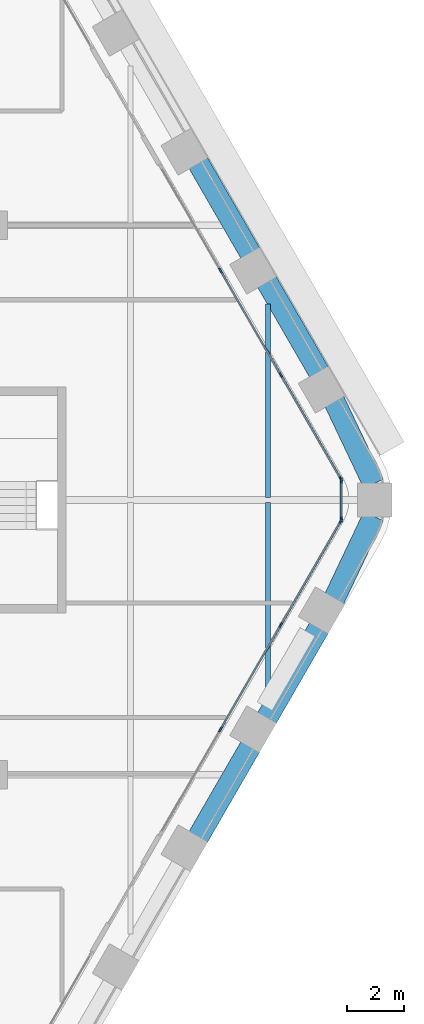
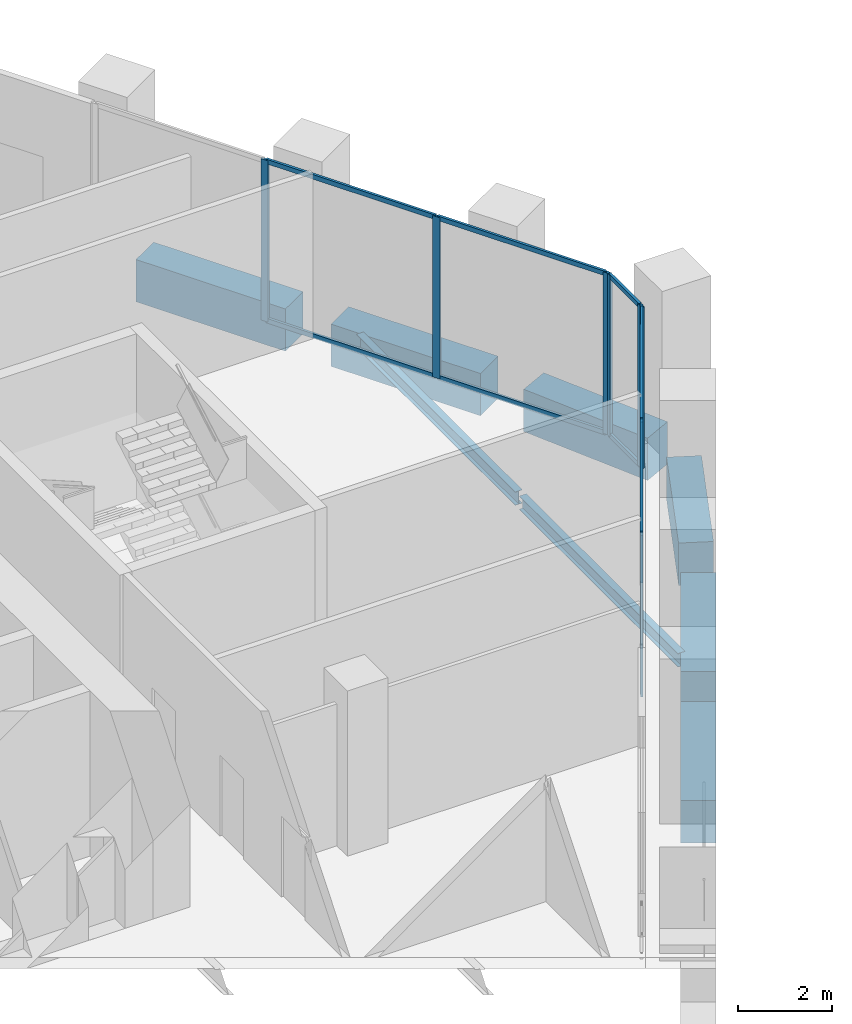
# One storey, part 11 of 26: 18 members, 8 beams, 3 elements without a shape of their own.
"""IFC4 building model written with IfcOpenShell, lengths in metres."""

from ifc_helpers import new_model, si_unit, direction, frame, origin, origin_2d, place, context, subcontext, project, spatial, rectangle, i_section, extrude, material, material_profile, profile_set, type_object, element, aggregate, save


model = new_model("IFC4")

# Units and contexts
model_context = context("Model", 3, precision=1e-05, world=origin(), true_north=direction((0.0, 1.0)))
body_context = subcontext(model_context, "Body", "Model", "MODEL_VIEW")
ifc_project = project(units=[si_unit("LENGTHUNIT", "METRE"), si_unit("AREAUNIT", "SQUARE_METRE"), si_unit("VOLUMEUNIT", "CUBIC_METRE"), si_unit("PLANEANGLEUNIT", "RADIAN"), si_unit("MASSUNIT", "GRAM", prefix="KILO")], contexts=[model_context])

# Site, building, storey
site_placement = place(None, origin())
site = spatial("IfcSite", under=ifc_project, at=site_placement, CompositionType="ELEMENT")
building_placement = place(site_placement, origin())
building = spatial("IfcBuilding", under=site, at=building_placement, Name="Kolab Exchange Tower", CompositionType="ELEMENT")
storey_placement = place(building_placement, frame((0.0, 0.0, 104.89990234375)))
storey = spatial("IfcBuildingStorey", under=building, at=storey_placement, Name="L20", CompositionType="ELEMENT", Elevation=104.89990234375)

# Beams
ifc_material_1 = material(Name="Steel S355", Category="steel")
ifc_material_profile_1 = material_profile(ifc_material_1, i_section(OverallWidth=0.1708984375, OverallDepth=0.35498046875, WebThickness=0.007080078125, FlangeThickness=0.01171875, at=origin_2d()), Name="W360X51")
ifc_profile_set_1 = profile_set([ifc_material_profile_1], Name="Steel S355")
beam_type_1 = type_object("IfcBeamType", Name="FLOOR BEAM W360X51", PredefinedType="BEAM", material=ifc_profile_set_1)
for number, where, z_axis, x_axis, name in (
    (1, (28.800048828125, -6.853759765625, -0.37744140625), (0.0, 1.0, 0.0), (-1.0, 0.0, 0.0), "beam/L20/fr/050"),
    (2, (28.800048828125, 0.0869140625, -0.37744140625), (0.0, 1.0, 0.0), (-1.0, 0.0, 0.0), "beam/L20/fr/051"),
):
    element("IfcBeam", number, at=place(storey_placement, frame(where, z_axis=z_axis, x_axis=x_axis)), inside=storey, type_object=beam_type_1, Name=name, PredefinedType="BEAM", context=body_context, shape_type="SweptSolid", body=[
        extrude(i_section(OverallWidth=0.1708984375, OverallDepth=0.35498046875, WebThickness=0.007080078125, FlangeThickness=0.01171875, at=origin_2d()), origin(), (0.0, 0.0, 1.0), 6.766845703125),
    ])
ifc_material_2 = material(Name="Concrete C70/85", Category="concrete")
ifc_material_profile_2 = material_profile(ifc_material_2, rectangle(XDim=0.75, YDim=1.10009765625, at=origin_2d()), Name="RC750X1100")
ifc_profile_set_2 = profile_set([ifc_material_profile_2], Name="Concrete C70/85")
beam_type_2 = type_object("IfcBeamType", Name="SPANDREL BEAM 750X1100 C70/85", PredefinedType="BEAM", material=ifc_profile_set_2)
for number, where, z_axis, x_axis, name in (
    (3, (26.355224609375, 11.79833984375, -0.75), (0.500013413428, -0.866017659399, 0.0), (0.866017659399, 0.500013413428, 0.0), "beam/L20/sp/F2-05"),
    (4, (28.755126953125, 7.641357421875, -0.75), (0.500013413428, -0.866017659399, 0.0), (0.866017659399, 0.500013413428, 0.0), "beam/L20/sp/F2-06"),
):
    element("IfcBeam", number, at=place(storey_placement, frame(where, z_axis=z_axis, x_axis=x_axis)), inside=storey, type_object=beam_type_2, Name=name, PredefinedType="BEAM", context=body_context, shape_type="SweptSolid", body=[
        extrude(rectangle(XDim=0.75, YDim=1.10009765625, at=origin_2d()), origin(), (0.0, 0.0, 1.0), 3.68017578125),
    ])
for number, where, z_axis, x_axis, name in (
    (5, (31.116455078125, 3.4619140625, -0.75), (0.429041292193, -0.903284877319, 0.0), (0.903284877319, 0.429041292193, 0.0), "beam/L20/sp/F2-07"),
    (6, (32.492919921875, -0.56396484375, -0.75), (-0.429041292193, -0.903284877319, 0.0), (0.903284877319, -0.429041292193, 0.0), "beam/L20/sp/F3-01"),
):
    element("IfcBeam", number, at=place(storey_placement, frame(where, z_axis=z_axis, x_axis=x_axis)), inside=storey, type_object=beam_type_2, Name=name, PredefinedType="BEAM", context=body_context, shape_type="SweptSolid", body=[
        extrude(rectangle(XDim=0.75, YDim=1.10009765625, at=origin_2d()), origin(), (0.0, 0.0, 1.0), 3.208251953125),
    ])
for number, where, z_axis, x_axis, name in (
    (7, (30.59521484375, -4.454345703125, -0.75), (-0.500013413428, -0.866017659399, 0.0), (0.866017659399, -0.500013413428, 0.0), "beam/L20/sp/F3-02"),
    (8, (28.1953125, -8.611328125, -0.75), (-0.500013413428, -0.866017659399, 0.0), (0.866017659399, -0.500013413428, 0.0), "beam/L20/sp/F3-03"),
):
    element("IfcBeam", number, at=place(storey_placement, frame(where, z_axis=z_axis, x_axis=x_axis)), inside=storey, type_object=beam_type_2, Name=name, PredefinedType="BEAM", context=body_context, shape_type="SweptSolid", body=[
        extrude(rectangle(XDim=0.75, YDim=1.10009765625, at=origin_2d()), origin(), (0.0, 0.0, 1.0), 3.68017578125),
    ])

# Curtain wall, members
ifc_material_3 = material(Name="Aluminium EN AW-6063 T6", Category="aluminium")
curtain_wall_type = type_object("IfcCurtainWallType", Name="UNITISED LOWER MID ZONE CURTAIN WALL", PredefinedType="NOTDEFINED", material=ifc_material_3)
curtain_wall_1_placement = place(storey_placement, origin())
curtain_wall_1 = element("IfcCurtainWall", 9, at=curtain_wall_1_placement, inside=storey, type_object=curtain_wall_type, Name="cw/L20/F2-2", PredefinedType="NOTDEFINED")
ifc_material_profile_3 = material_profile(ifc_material_3, rectangle(XDim=0.06005859375, YDim=0.179931640625, at=origin_2d()), Name="RECT 60X180")
ifc_profile_set_3 = profile_set([ifc_material_profile_3], Name="Aluminium EN AW-6063 T6")
member_type_1 = type_object("IfcMemberType", Name="UNITISED LOWER MID ZONE MULLION 60 X 180", PredefinedType="MULLION", material=ifc_profile_set_3)
member_1_placement = place(storey_placement, frame((27.14306640625, 8.02392578125, 0.0), z_axis=(0.0, 0.0, 1.0), x_axis=(0.866025427826, 0.499999958358, 0.0)))
member_1 = element("IfcMember", 10, at=member_1_placement, type_object=member_type_1, Name="CW2 mullion 2", PredefinedType="MULLION", context=body_context, shape_type="SweptSolid", body=[
    extrude(rectangle(XDim=0.06005859375, YDim=0.179931640625, at=origin_2d()), origin(), (0.0, 0.0, 1.0), 4.2001953125),
])
member_2_placement = place(storey_placement, frame((29.25439453125, 4.366943359375, 0.0), z_axis=(0.0, 0.0, 1.0), x_axis=(0.866025427826, 0.499999958358, 0.0)))
member_2 = element("IfcMember", 11, at=member_2_placement, type_object=member_type_1, Name="CW2 mullion 3", PredefinedType="MULLION", context=body_context, shape_type="SweptSolid", body=[
    extrude(rectangle(XDim=0.06005859375, YDim=0.179931640625, at=origin_2d()), origin(), (0.0, 0.0, 1.0), 4.2001953125),
])
member_3_placement = place(storey_placement, frame((31.3505859375, 0.736083984375, 0.0), z_axis=(0.0, 0.0, 1.0), x_axis=(0.866025427826, 0.499999958358, 0.0)))
member_3 = element("IfcMember", 12, at=member_3_placement, type_object=member_type_1, Name="CW2 mullion 4", PredefinedType="MULLION", context=body_context, shape_type="SweptSolid", body=[
    extrude(rectangle(XDim=0.06005859375, YDim=0.179931640625, at=origin_2d()), origin(), (0.0, 0.0, 1.0), 4.2001953125),
])

curtain_wall_2_placement = place(storey_placement, origin())
curtain_wall_2 = element("IfcCurtainWall", 13, at=curtain_wall_2_placement, inside=storey, type_object=curtain_wall_type, Name="cw/L20/F3-1", PredefinedType="NOTDEFINED")
member_4_placement = place(storey_placement, frame((31.3505859375, -0.736083984375, 0.0), z_axis=(0.0, 0.0, 1.0), x_axis=(0.866025427826, -0.499999958358, 0.0)))
member_4 = element("IfcMember", 14, at=member_4_placement, type_object=member_type_1, Name="CW2 mullion 1", PredefinedType="MULLION", context=body_context, shape_type="SweptSolid", body=[
    extrude(rectangle(XDim=0.06005859375, YDim=0.179931640625, at=origin_2d()), origin(), (0.0, 0.0, 1.0), 4.2001953125),
])
member_5_placement = place(storey_placement, frame((29.25439453125, -4.366943359375, 0.0), z_axis=(0.0, 0.0, 1.0), x_axis=(0.866025427826, -0.499999958358, 0.0)))
member_5 = element("IfcMember", 15, at=member_5_placement, type_object=member_type_1, Name="CW2 mullion 2", PredefinedType="MULLION", context=body_context, shape_type="SweptSolid", body=[
    extrude(rectangle(XDim=0.06005859375, YDim=0.179931640625, at=origin_2d()), origin(), (0.0, 0.0, 1.0), 4.2001953125),
])
member_6_placement = place(storey_placement, frame((27.14306640625, -8.02392578125, 0.0), z_axis=(0.0, 0.0, 1.0), x_axis=(0.866025427826, -0.499999958358, 0.0)))
member_6 = element("IfcMember", 16, at=member_6_placement, type_object=member_type_1, Name="CW2 mullion 3", PredefinedType="MULLION", context=body_context, shape_type="SweptSolid", body=[
    extrude(rectangle(XDim=0.06005859375, YDim=0.179931640625, at=origin_2d()), origin(), (0.0, 0.0, 1.0), 4.2001953125),
])

curtain_wall_3_placement = place(storey_placement, origin())
curtain_wall_3 = element("IfcCurtainWall", 17, at=curtain_wall_3_placement, inside=storey, type_object=curtain_wall_type, Name="cw/L20/F2F3-corner", PredefinedType="NOTDEFINED")
member_7_placement = place(storey_placement, frame((31.36572265625, 0.679931640625, 0.0), z_axis=(0.0, 0.0, 1.0), x_axis=(1.0, 0.0, 0.0)))
member_7 = element("IfcMember", 18, at=member_7_placement, type_object=member_type_1, Name="CW2 mullion 1", PredefinedType="MULLION", context=body_context, shape_type="SweptSolid", body=[
    extrude(rectangle(XDim=0.06005859375, YDim=0.179931640625, at=origin_2d()), origin(), (0.0, 0.0, 1.0), 4.2001953125),
])
member_8_placement = place(storey_placement, frame((31.36572265625, -0.679931640625, 0.0), z_axis=(0.0, 0.0, 1.0), x_axis=(1.0, 0.0, 0.0)))
member_8 = element("IfcMember", 19, at=member_8_placement, type_object=member_type_1, Name="CW2 mullion 2", PredefinedType="MULLION", context=body_context, shape_type="SweptSolid", body=[
    extrude(rectangle(XDim=0.06005859375, YDim=0.179931640625, at=origin_2d()), origin(), (0.0, 0.0, 1.0), 4.2001953125),
])

# Member
ifc_material_profile_4 = material_profile(ifc_material_3, rectangle(XDim=0.06005859375, YDim=0.1201171875, at=origin_2d()), Name="RECT 60X120")
ifc_profile_set_4 = profile_set([ifc_material_profile_4], Name="Aluminium EN AW-6063 T6")
member_type_2 = type_object("IfcMemberType", Name="UNITISED LOWER MID ZONE TRANSOM 60 X 120", PredefinedType="USERDEFINED", material=ifc_profile_set_4)
member_9_placement = place(storey_placement, frame((27.157958984375, 7.997802734375, 0.030029296875), z_axis=(0.49999322259, -0.866029316688, 0.0), x_axis=(0.866029316688, 0.49999322259, 0.0)))
member_9 = element("IfcMember", 20, at=member_9_placement, type_object=member_type_2, Name="CW2 transom 2.1", ObjectType="TRANSOM", PredefinedType="USERDEFINED", context=body_context, shape_type="SweptSolid", body=[
    extrude(rectangle(XDim=0.06005859375, YDim=0.1201171875, at=origin_2d()), origin(), (0.0, 0.0, 1.0), 4.16259765625),
])

member_10_placement = place(storey_placement, frame((27.157958984375, 7.997802734375, 4.170166015625), z_axis=(0.49999322259, -0.866029316688, 0.0), x_axis=(0.866029316688, 0.49999322259, 0.0)))
member_10 = element("IfcMember", 21, at=member_10_placement, type_object=member_type_2, Name="CW2 transom 2.2", ObjectType="TRANSOM", PredefinedType="USERDEFINED", context=body_context, shape_type="SweptSolid", body=[
    extrude(rectangle(XDim=0.06005859375, YDim=0.1201171875, at=origin_2d()), origin(), (0.0, 0.0, 1.0), 4.16259765625),
])

member_11_placement = place(storey_placement, frame((29.269287109375, 4.3408203125, 0.030029296875), z_axis=(0.500027577057, -0.866009481578, 0.0), x_axis=(0.866009481578, 0.500027577057, 0.0)))
member_11 = element("IfcMember", 22, at=member_11_placement, type_object=member_type_2, Name="CW2 transom 3.1", ObjectType="TRANSOM", PredefinedType="USERDEFINED", context=body_context, shape_type="SweptSolid", body=[
    extrude(rectangle(XDim=0.06005859375, YDim=0.1201171875, at=origin_2d()), origin(), (0.0, 0.0, 1.0), 4.132568359375),
])

member_12_placement = place(storey_placement, frame((29.269287109375, 4.3408203125, 4.170166015625), z_axis=(0.500027577057, -0.866009481578, 0.0), x_axis=(0.866009481578, 0.500027577057, 0.0)))
member_12 = element("IfcMember", 23, at=member_12_placement, type_object=member_type_2, Name="CW2 transom 3.2", ObjectType="TRANSOM", PredefinedType="USERDEFINED", context=body_context, shape_type="SweptSolid", body=[
    extrude(rectangle(XDim=0.06005859375, YDim=0.1201171875, at=origin_2d()), origin(), (0.0, 0.0, 1.0), 4.132568359375),
])

aggregate(curtain_wall_1, [member_1, member_2, member_3, member_9, member_10, member_11, member_12])

member_13_placement = place(storey_placement, frame((31.335693359375, -0.761962890625, 0.030029296875), z_axis=(-0.500027577057, -0.866009481578, 0.0), x_axis=(0.866009481578, -0.500027577057, 0.0)))
member_13 = element("IfcMember", 24, at=member_13_placement, type_object=member_type_2, Name="CW2 transom 1.1", ObjectType="TRANSOM", PredefinedType="USERDEFINED", context=body_context, shape_type="SweptSolid", body=[
    extrude(rectangle(XDim=0.06005859375, YDim=0.1201171875, at=origin_2d()), origin(), (0.0, 0.0, 1.0), 4.132568359375),
])

member_14_placement = place(storey_placement, frame((31.335693359375, -0.761962890625, 4.170166015625), z_axis=(-0.500027577057, -0.866009481578, 0.0), x_axis=(0.866009481578, -0.500027577057, 0.0)))
member_14 = element("IfcMember", 25, at=member_14_placement, type_object=member_type_2, Name="CW2 transom 1.2", ObjectType="TRANSOM", PredefinedType="USERDEFINED", context=body_context, shape_type="SweptSolid", body=[
    extrude(rectangle(XDim=0.06005859375, YDim=0.1201171875, at=origin_2d()), origin(), (0.0, 0.0, 1.0), 4.132568359375),
])

member_15_placement = place(storey_placement, frame((29.2392578125, -4.392822265625, 0.030029296875), z_axis=(-0.49999322259, -0.866029316688, 0.0), x_axis=(0.866029316688, -0.49999322259, 0.0)))
member_15 = element("IfcMember", 26, at=member_15_placement, type_object=member_type_2, Name="CW2 transom 2.1", ObjectType="TRANSOM", PredefinedType="USERDEFINED", context=body_context, shape_type="SweptSolid", body=[
    extrude(rectangle(XDim=0.06005859375, YDim=0.1201171875, at=origin_2d()), origin(), (0.0, 0.0, 1.0), 4.16259765625),
])

member_16_placement = place(storey_placement, frame((29.2392578125, -4.392822265625, 4.170166015625), z_axis=(-0.49999322259, -0.866029316688, 0.0), x_axis=(0.866029316688, -0.49999322259, 0.0)))
member_16 = element("IfcMember", 27, at=member_16_placement, type_object=member_type_2, Name="CW2 transom 2.2", ObjectType="TRANSOM", PredefinedType="USERDEFINED", context=body_context, shape_type="SweptSolid", body=[
    extrude(rectangle(XDim=0.06005859375, YDim=0.1201171875, at=origin_2d()), origin(), (0.0, 0.0, 1.0), 4.16259765625),
])

aggregate(curtain_wall_2, [member_4, member_5, member_6, member_13, member_14, member_15, member_16])

member_17_placement = place(storey_placement, frame((31.36572265625, 0.64990234375, 0.030029296875), z_axis=(0.0, -1.0, 0.0), x_axis=(1.0, 0.0, 0.0)))
member_17 = element("IfcMember", 28, at=member_17_placement, type_object=member_type_2, Name="CW2 transom 1.1", ObjectType="TRANSOM", PredefinedType="USERDEFINED", context=body_context, shape_type="SweptSolid", body=[
    extrude(rectangle(XDim=0.06005859375, YDim=0.1201171875, at=origin_2d()), origin(), (0.0, 0.0, 1.0), 1.2998046875),
])

member_18_placement = place(storey_placement, frame((31.36572265625, 0.64990234375, 4.170166015625), z_axis=(0.0, -1.0, 0.0), x_axis=(1.0, 0.0, 0.0)))
member_18 = element("IfcMember", 29, at=member_18_placement, type_object=member_type_2, Name="CW2 transom 1.2", ObjectType="TRANSOM", PredefinedType="USERDEFINED", context=body_context, shape_type="SweptSolid", body=[
    extrude(rectangle(XDim=0.06005859375, YDim=0.1201171875, at=origin_2d()), origin(), (0.0, 0.0, 1.0), 1.2998046875),
])

aggregate(curtain_wall_3, [member_7, member_8, member_17, member_18])

save(model, "model.ifc")
